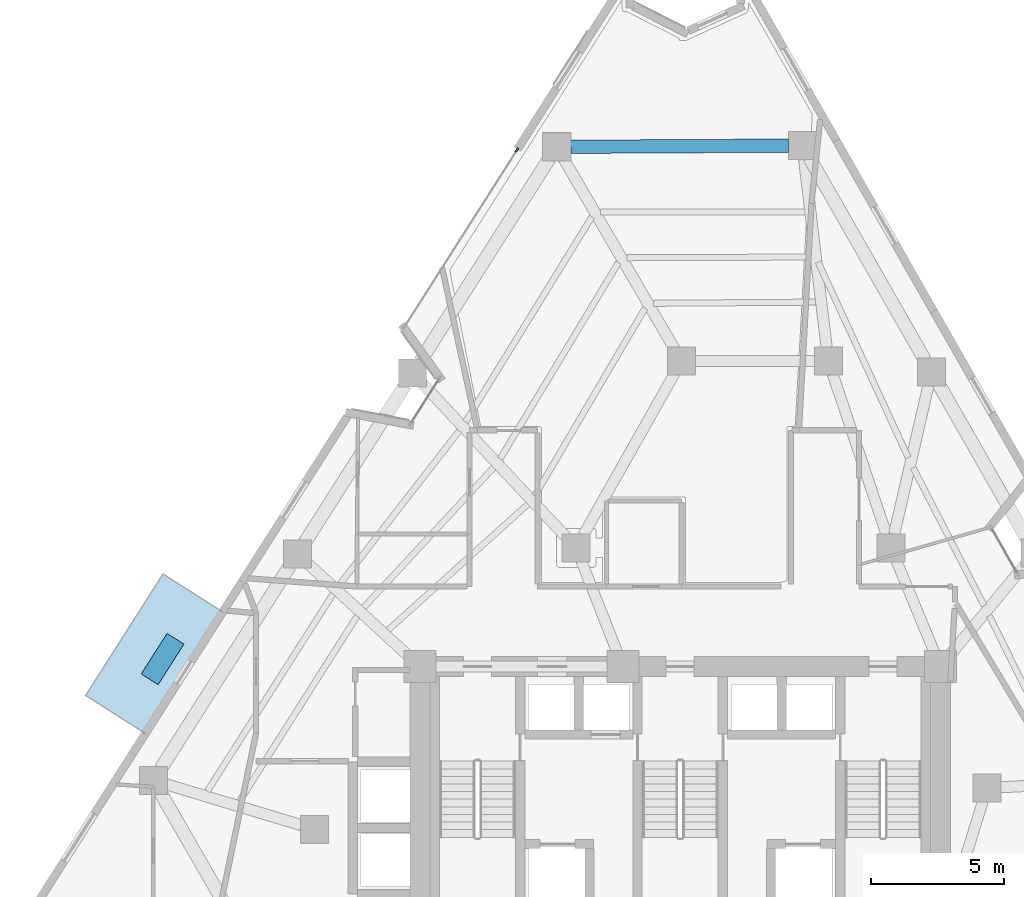
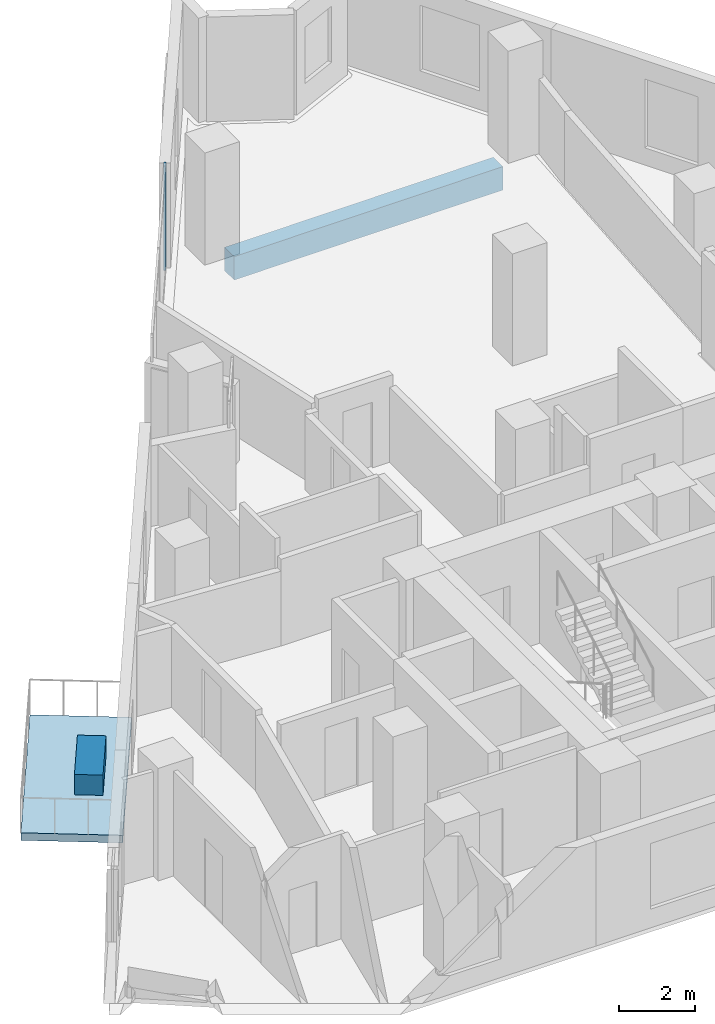
# One storey, part 5 of 11: 1 beam, 1 member, 1 plate, 1 slab, 1 element without a shape of its own.
"""IFC4 building model written with IfcOpenShell, lengths in metres."""

from ifc_helpers import new_model, si_unit, direction, frame, origin, origin_2d, place, context, subcontext, project, spatial, polyline, rectangle, outline, extrude, material, layer, layer_set, material_profile, profile_set, type_object, element, aggregate, save


model = new_model("IFC4")

# Units and contexts
model_context = context("Model", 3, precision=1e-05, world=origin(), true_north=direction((0.0, 1.0)))
body_context = subcontext(model_context, "Body", "Model", "MODEL_VIEW")
ifc_project = project(units=[si_unit("LENGTHUNIT", "METRE"), si_unit("AREAUNIT", "SQUARE_METRE"), si_unit("VOLUMEUNIT", "CUBIC_METRE"), si_unit("PLANEANGLEUNIT", "RADIAN"), si_unit("MASSUNIT", "GRAM", prefix="KILO")], contexts=[model_context])

# Site, building, storey
site_placement = place(None, origin())
site = spatial("IfcSite", under=ifc_project, at=site_placement, CompositionType="ELEMENT")
building_placement = place(site_placement, origin())
building = spatial("IfcBuilding", under=site, at=building_placement, Name="Almagre Mirador Tower", CompositionType="ELEMENT")
storey_placement = place(building_placement, frame((0.0, 0.0, 142.800048828125)))
storey = spatial("IfcBuildingStorey", under=building, at=storey_placement, Name="L36", CompositionType="ELEMENT", Elevation=142.800048828125)

# Beam
ifc_material_1 = material(Name="Precast concrete C50/60", Category="concrete")
ifc_material_profile_1 = material_profile(ifc_material_1, rectangle(XDim=0.5, YDim=0.75, at=origin_2d()), Name="RC500X750")
ifc_profile_set_1 = profile_set([ifc_material_profile_1], Name="Precast concrete C50/60")
beam_type = type_object("IfcBeamType", Name="BM-SPN-RC500X750", PredefinedType="SPANDREL", material=ifc_profile_set_1)
beam_placement = place(storey_placement, frame((41.35693359375, 34.274169921875, -0.625), z_axis=(-0.999985336868, -0.005415353079, 0.0), x_axis=(0.005415353079, -0.999985336868, 0.0)))
element("IfcBeam", 1, at=beam_placement, inside=storey, type_object=beam_type, Name="L36 perimeter spandrel beam PC08-PC09", PredefinedType="SPANDREL", context=body_context, shape_type="SweptSolid", body=[
    extrude(rectangle(XDim=0.5, YDim=0.75, at=origin_2d()), origin(), (0.0, 0.0, 1.0), 8.159912109375),
])

# Curtain wall, member
ifc_material_2 = material(Name="Black anodized aluminium", Category="aluminium")
ifc_layer_1 = layer(ifc_material_2, 0.199951171875)
ifc_layer_set_1 = layer_set([ifc_layer_1], Name="Black anodized aluminium")
curtain_wall_type = type_object("IfcCurtainWallType", Name="CW-RES-H-SYS", PredefinedType="NOTDEFINED", material=ifc_layer_set_1)
curtain_wall_placement = place(storey_placement, origin())
curtain_wall = element("IfcCurtainWall", 2, at=curtain_wall_placement, inside=storey, type_object=curtain_wall_type, Name="L36 curtain wall run 02", PredefinedType="NOTDEFINED")
ifc_material_3 = material(Name="Black anodized aluminium", Category="aluminium")
ifc_material_profile_2 = material_profile(ifc_material_3, rectangle(XDim=0.06494140625, YDim=0.179931640625, at=origin_2d()), Name="CWM65X180")
ifc_profile_set_2 = profile_set([ifc_material_profile_2], Name="Black anodized aluminium")
member_type = type_object("IfcMemberType", Name="MBR-CWM65X180", PredefinedType="MULLION", material=ifc_profile_set_2)
member_placement = place(storey_placement, frame((31.176513671875, 34.113037109375, 0.0), z_axis=(0.0, 0.0, 1.0), x_axis=(-0.843513390766, 0.537108145162, 0.0)))
member = element("IfcMember", 3, at=member_placement, type_object=member_type, Name="CW-3 mullion 3", PredefinedType="MULLION", context=body_context, shape_type="SweptSolid", body=[
    extrude(rectangle(XDim=0.06494140625, YDim=0.179931640625, at=origin_2d()), origin(), (0.0, 0.0, 1.0), 3.349853515625),
])
aggregate(curtain_wall, [member])

# Plate
ifc_material_4 = material(Name="Precast concrete C50/60", Category="concrete")
ifc_layer_2 = layer(ifc_material_4, 0.64990234375)
ifc_layer_set_2 = layer_set([ifc_layer_2], Name="Precast concrete C50/60")
plate_type = type_object("IfcPlateType", Name="PLT-PLANTER-1800", PredefinedType="USERDEFINED", material=ifc_layer_set_2)
plate_placement = place(storey_placement, frame((17.89892578125, 15.030029296875, 0.0), z_axis=(0.0, 0.0, 1.0), x_axis=(-0.537137678912, -0.843494584389, 0.0)))
element("IfcPlate", 4, at=plate_placement, inside=storey, type_object=plate_type, Name="L36 west balcony structural tree planter 2", ObjectType="PLANTER", PredefinedType="USERDEFINED", context=body_context, shape_type="SweptSolid", body=[
    extrude(rectangle(XDim=1.800048828125, YDim=0.75, at=origin_2d()), origin(), (0.0, 0.0, 1.0), 0.64990234375),
])

# Slab
ifc_material_5 = material(Name="Concrete C45/55", Category="concrete")
ifc_layer_3 = layer(ifc_material_5, 0.239990234375)
ifc_layer_set_3 = layer_set([ifc_layer_3], Name="Concrete C45/55")
slab_type = type_object("IfcSlabType", Name="SLB-BAL-240", PredefinedType="USERDEFINED", material=ifc_layer_set_3)
slab_placement = place(storey_placement, frame((0.0, 0.0, -0.239990234375)))
element("IfcSlab", 5, at=slab_placement, inside=storey, type_object=slab_type, Name="L36 west planted tree balcony 2", ObjectType="BALCONY", PredefinedType="USERDEFINED", context=body_context, shape_type="SweptSolid", body=[
    extrude(outline(polyline([(20.1669921875, 16.785888671875), (17.26708984375, 12.23193359375), (15.013916015625, 13.666015625), (17.9150390625, 18.220947265625), (20.1669921875, 16.785888671875)])), origin(), (0.0, 0.0, 1.0), 0.239990234375),
])

save(model, "model.ifc")
